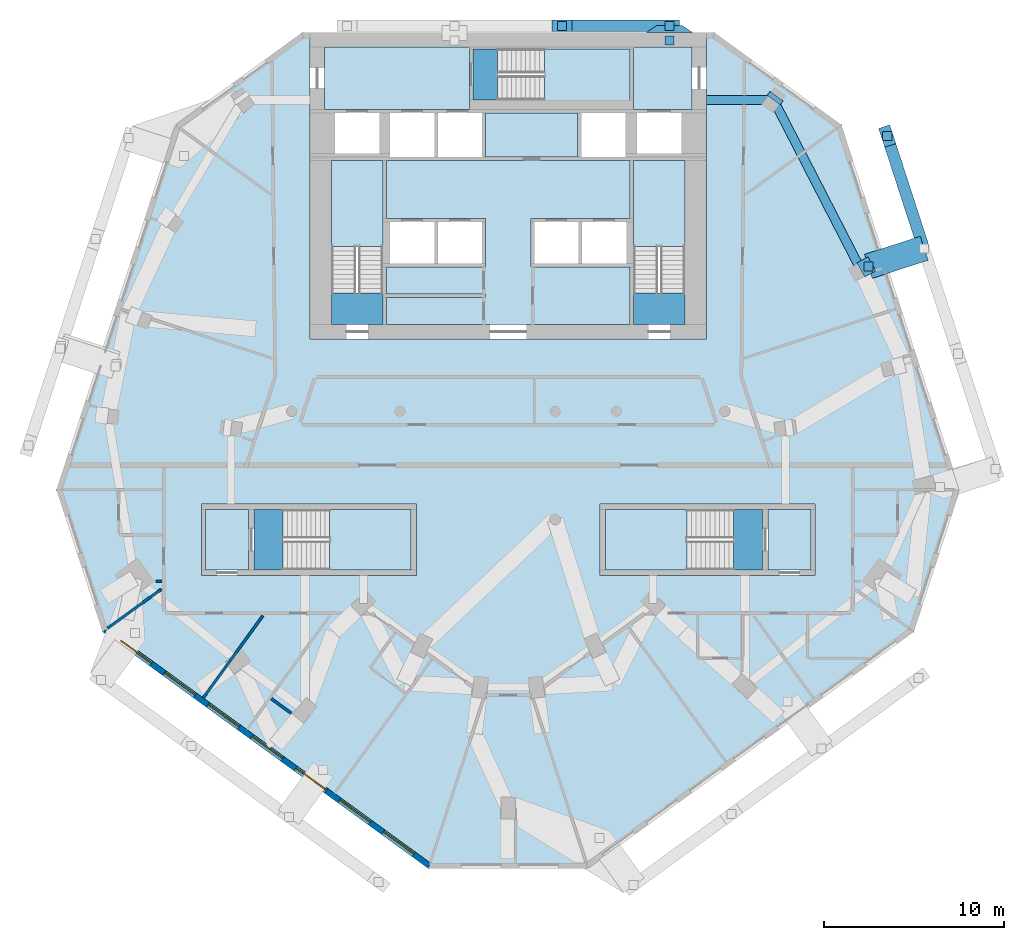
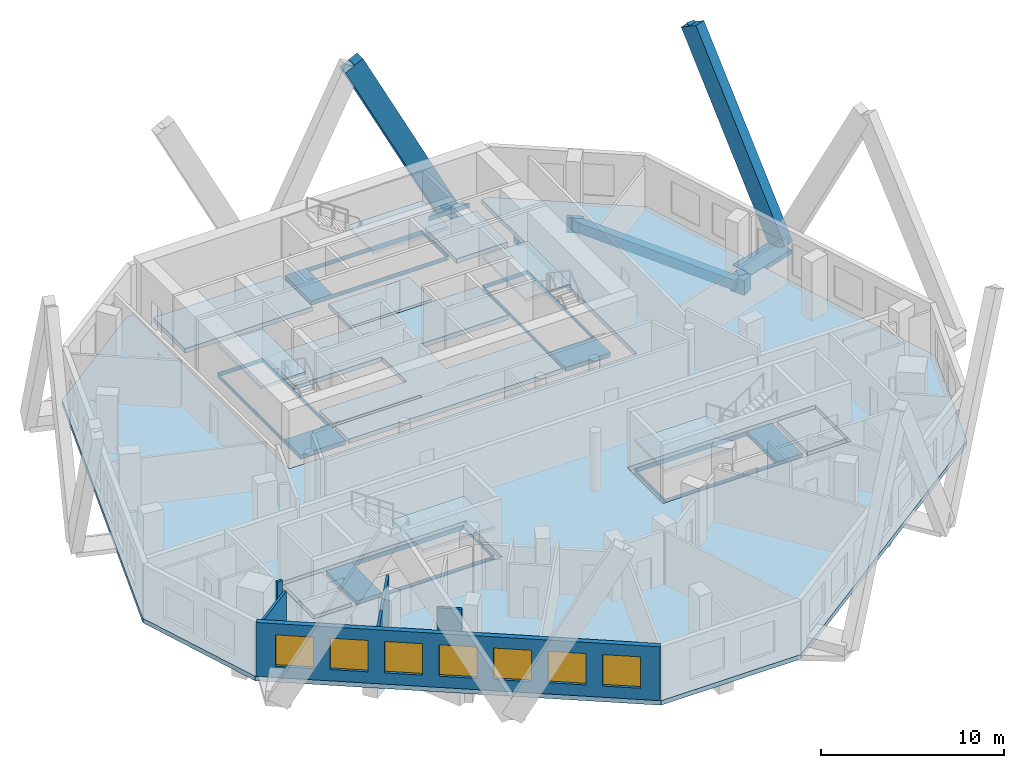
# One storey, part 3 of 10: 17 slabs, 7 windows, 5 discrete accessories, 5 walls, 4 beams, 4 members, 7 openings, 5 elements without a shape of their own.
"""IFC4 building model written with IfcOpenShell, lengths in metres."""

from ifc_helpers import new_model, si_unit, direction, frame, frame_2d, origin, origin_2d, place, context, subcontext, project, spatial, polyline, rectangle, outline, extrude, material, layer, layer_set, material_profile, profile_set, type_object, element, fill, aggregate, save


model = new_model("IFC4")

# Units and contexts
model_context = context("Model", 3, precision=1e-05, world=origin(), true_north=direction((0.0, 1.0)))
body_context = subcontext(model_context, "Body", "Model", "MODEL_VIEW")
ifc_project = project(units=[si_unit("LENGTHUNIT", "METRE"), si_unit("AREAUNIT", "SQUARE_METRE"), si_unit("VOLUMEUNIT", "CUBIC_METRE"), si_unit("PLANEANGLEUNIT", "RADIAN"), si_unit("MASSUNIT", "GRAM", prefix="KILO")], contexts=[model_context])

# Site, building, storey
site_placement = place(None, origin())
site = spatial("IfcSite", under=ifc_project, at=site_placement, CompositionType="ELEMENT")
building_placement = place(site_placement, origin())
building = spatial("IfcBuilding", under=site, at=building_placement, Name="White Candle Pilgrim Tower", CompositionType="ELEMENT")
storey_placement = place(building_placement, frame((0.0, 0.0, 196.5)))
storey = spatial("IfcBuildingStorey", under=building, at=storey_placement, Name="L45", CompositionType="ELEMENT", Elevation=196.5)

# Member
ifc_material_1 = material(Name="Concrete C70/85, white", Category="concrete")
ifc_material_profile_1 = material_profile(ifc_material_1, rectangle(XDim=0.64990234375, YDim=1.25, at=origin_2d()), Name="RC-DG 650x1250")
ifc_profile_set_1 = profile_set([ifc_material_profile_1], Name="Concrete C70/85, white")
member_type_1 = type_object("IfcMemberType", Name="Exoskeleton diagonal RC-DG 650x1250 C70/85", PredefinedType="BRACE", material=ifc_profile_set_1)
member_1_placement = place(storey_placement, frame((78.93701171875, 88.375, 0.0), z_axis=(-0.453783992732, 0.0, 0.891111714624), x_axis=(0.0, -1.0, 0.0)))
member_1 = element("IfcMember", 1, at=member_1_placement, inside=storey, type_object=member_type_1, Name="Exoskeleton diagonal EX181", PredefinedType="BRACE", context=body_context, shape_type="SweptSolid", body=[
    extrude(rectangle(XDim=0.64990234375, YDim=1.25, at=origin_2d()), origin(), (0.0, 0.0, 1.0), 13.129638671875),
])

member_2_placement = place(storey_placement, frame((93.044189453125, 76.03173828125, 0.0), z_axis=(-0.151000275794, 0.464725469005, 0.872484472738), x_axis=(-0.951055423113, -0.309020358822, 0.0)))
member_2 = element("IfcMember", 2, at=member_2_placement, inside=storey, type_object=member_type_1, Name="Exoskeleton diagonal EX195", PredefinedType="BRACE", context=body_context, shape_type="SweptSolid", body=[
    extrude(rectangle(XDim=0.64990234375, YDim=1.25, at=origin_2d()), origin(), (0.0, 0.0, 1.0), 13.409912109375),
])

ifc_layer_1 = layer(ifc_material_1, 0.300048828125)
ifc_layer_set_1 = layer_set([ifc_layer_1], Name="Node tie strut 3250x1400x300 C70/85")
member_type_2 = type_object("IfcMemberType", Name="Node tie strut 3250x1400x300 C70/85", PredefinedType="STRUT", material=ifc_layer_set_1)
member_3_placement = place(storey_placement, frame((91.5224609375, 75.537353515625, -0.2998046875), z_axis=(0.0, 0.0, 1.0), x_axis=(-0.309016994375, 0.951056516295, 0.0)))
member_3 = element("IfcMember", 3, at=member_3_placement, inside=storey, type_object=member_type_2, Name="Node tie strut NC152", PredefinedType="STRUT", context=body_context, shape_type="SweptSolid", body=[
    extrude(rectangle(XDim=1.39990234375, YDim=3.25, at=origin_2d()), origin(), (0.0, 0.0, 1.0), 0.300048828125),
])

ifc_layer_2 = layer(ifc_material_1, 0.300048828125)
ifc_layer_set_2 = layer_set([ifc_layer_2], Name="Node tie strut 850x1400x300 C70/85")
member_type_3 = type_object("IfcMemberType", Name="Node tie strut 850x1400x300 C70/85", PredefinedType="STRUT", material=ifc_layer_set_2)
member_4_placement = place(storey_placement, frame((0.0, 0.0, -0.300048828125)))
member_4 = element("IfcMember", 4, at=member_4_placement, inside=storey, type_object=member_type_3, Name="Node tie strut NC153", PredefinedType="STRUT", context=body_context, shape_type="SweptSolid", body=[
    extrude(outline(polyline([(77.636962890625, 88.0), (80.237060546875, 88.0), (79.636962890625, 88.39990234375), (78.237060546875, 88.39990234375), (77.636962890625, 88.0)])), origin(), (0.0, 0.0, 1.0), 0.300048828125),
])

# Beams
ifc_material_2 = material(Name="Concrete C50/60", Category="concrete")
ifc_material_profile_2 = material_profile(ifc_material_2, rectangle(XDim=0.5, YDim=0.449951171875, at=origin_2d()), Name="RC-BM 500x450")
ifc_profile_set_2 = profile_set([ifc_material_profile_2], Name="Concrete C50/60")
beam_type_1 = type_object("IfcBeamType", Name="Spandrel beam RC-BM 500x450 C50/60", PredefinedType="BEAM", material=ifc_profile_set_2)
beam_1_placement = place(storey_placement, frame((84.719970703125, 84.260009765625, -0.52490234375), z_axis=(-1.0, 0.0, 0.0), x_axis=(0.0, -1.0, 0.0)))
element("IfcBeam", 5, at=beam_1_placement, inside=storey, type_object=beam_type_1, Name="L45 spandrel beam T10", PredefinedType="BEAM", context=body_context, shape_type="SweptSolid", body=[
    extrude(rectangle(XDim=0.5, YDim=0.449951171875, at=origin_2d()), origin(), (0.0, 0.0, 1.0), 3.719970703125),
])
ifc_material_profile_3 = material_profile(ifc_material_2, rectangle(XDim=0.5, YDim=0.699951171875, at=origin_2d()), Name="RC-BM 500x700")
ifc_profile_set_3 = profile_set([ifc_material_profile_3], Name="Concrete C50/60")
beam_type_2 = type_object("IfcBeamType", Name="Spandrel beam RC-BM 500x700 C50/60", PredefinedType="BEAM", material=ifc_profile_set_3)
beam_2_placement = place(storey_placement, frame((89.56005859375, 74.840087890625, -0.64990234375), z_axis=(-0.45701618227, 0.889458379658, 0.0), x_axis=(-0.889458379658, -0.45701618227, 0.0)))
element("IfcBeam", 6, at=beam_2_placement, inside=storey, type_object=beam_type_2, Name="L45 spandrel beam T09", PredefinedType="BEAM", context=body_context, shape_type="SweptSolid", body=[
    extrude(rectangle(XDim=0.5, YDim=0.699951171875, at=origin_2d()), origin(), (0.0, 0.0, 1.0), 10.590576171875),
])
ifc_material_profile_4 = material_profile(ifc_material_2, rectangle(XDim=0.89990234375, YDim=1.0, at=origin_2d()), Name="RC-BM 900x1000")
ifc_profile_set_4 = profile_set([ifc_material_profile_4], Name="Concrete C50/60")
beam_type_3 = type_object("IfcBeamType", Name="Transfer girder RC-BM 900x1000 C50/60", PredefinedType="BEAM", material=ifc_profile_set_4)
beam_3_placement = place(storey_placement, frame((90.169921875, 75.179931640625, -0.800048828125), z_axis=(-0.873529742232, -0.486770777097, 0.0), x_axis=(0.486770777097, -0.873529742232, 0.0)))
element("IfcBeam", 7, at=beam_3_placement, inside=storey, type_object=beam_type_3, Name="L45 transfer girder X29", PredefinedType="BEAM", context=body_context, shape_type="SweptSolid", body=[
    extrude(rectangle(XDim=0.89990234375, YDim=1.0, at=origin_2d()), origin(), (0.0, 0.0, 1.0), 0.6982421875),
])
beam_4_placement = place(storey_placement, frame((84.8798828125, 84.47998046875, -0.800048828125), z_axis=(-0.588011550959, -0.808852530403, 0.0), x_axis=(0.808852530403, -0.588011550959, 0.0)))
element("IfcBeam", 8, at=beam_4_placement, inside=storey, type_object=beam_type_3, Name="L45 transfer girder X42", PredefinedType="BEAM", context=body_context, shape_type="SweptSolid", body=[
    extrude(rectangle(XDim=0.89990234375, YDim=1.0, at=origin_2d()), origin(), (0.0, 0.0, 1.0), 0.27197265625),
])

# Slabs
ifc_material_3 = material(Name="Concrete C40/50", Category="concrete")
ifc_layer_3 = layer(ifc_material_3, 0.300048828125)
ifc_layer_set_3 = layer_set([ifc_layer_3], Name="Core floor slab 300 mm Concrete C40/50")
slab_type_1 = type_object("IfcSlabType", Name="Core floor slab 300 mm Concrete C40/50", PredefinedType="FLOOR", material=ifc_layer_set_3)
slab_1_placement = place(storey_placement, frame((0.0, 0.0, -0.300048828125)))
element("IfcSlab", 9, at=slab_1_placement, inside=storey, type_object=slab_type_1, Name="CF-L45-01", PredefinedType="FLOOR", context=body_context, shape_type="SweptSolid", body=[
    extrude(outline(polyline([(55.60009765625, 58.199951171875), (53.199951171875, 58.199951171875), (53.199951171875, 61.550048828125), (55.60009765625, 61.550048828125), (55.60009765625, 58.199951171875)])), origin(), (0.0, 0.0, 1.0), 0.300048828125),
])
slab_2_placement = place(storey_placement, frame((0.0, 0.0, -0.300048828125)))
element("IfcSlab", 10, at=slab_2_placement, inside=storey, type_object=slab_type_1, Name="CF-L45-02", PredefinedType="FLOOR", context=body_context, shape_type="SweptSolid", body=[
    extrude(outline(polyline([(55.89990234375, 58.199951171875), (55.89990234375, 61.550048828125), (64.60009765625, 61.550048828125), (64.60009765625, 58.199951171875), (55.89990234375, 58.199951171875)]), holes=[polyline([(57.501953125, 61.548095703125), (57.501953125, 58.201904296875), (64.597900390625, 58.201904296875), (64.597900390625, 61.548095703125), (57.501953125, 61.548095703125)])]), origin(), (0.0, 0.0, 1.0), 0.300048828125),
])
slab_3_placement = place(storey_placement, frame((0.0, 0.0, -0.300048828125)))
element("IfcSlab", 11, at=slab_3_placement, inside=storey, type_object=slab_type_1, Name="CF-L45-03", PredefinedType="FLOOR", context=body_context, shape_type="SweptSolid", body=[
    extrude(outline(polyline([(75.39990234375, 58.199951171875), (75.39990234375, 61.550048828125), (84.10009765625, 61.550048828125), (84.10009765625, 58.199951171875), (75.39990234375, 58.199951171875)]), holes=[polyline([(82.498046875, 58.201904296875), (82.498046875, 61.548095703125), (75.402099609375, 61.548095703125), (75.402099609375, 58.201904296875), (82.498046875, 58.201904296875)])]), origin(), (0.0, 0.0, 1.0), 0.300048828125),
])
slab_4_placement = place(storey_placement, frame((0.0, 0.0, -0.300048828125)))
element("IfcSlab", 12, at=slab_4_placement, inside=storey, type_object=slab_type_1, Name="CF-L45-04", PredefinedType="FLOOR", context=body_context, shape_type="SweptSolid", body=[
    extrude(outline(polyline([(86.800048828125, 58.199951171875), (84.39990234375, 58.199951171875), (84.39990234375, 61.550048828125), (86.800048828125, 61.550048828125), (86.800048828125, 58.199951171875)])), origin(), (0.0, 0.0, 1.0), 0.300048828125),
])
slab_5_placement = place(storey_placement, frame((0.0, 0.0, -0.300048828125)))
element("IfcSlab", 13, at=slab_5_placement, inside=storey, type_object=slab_type_1, Name="CF-L45-05", PredefinedType="FLOOR", context=body_context, shape_type="SweptSolid", body=[
    extrude(outline(polyline([(76.949951171875, 71.800048828125), (76.949951171875, 75.0), (76.949951171875, 75.199951171875), (76.949951171875, 77.5), (76.949951171875, 77.699951171875), (76.949951171875, 80.89990234375), (79.800048828125, 80.89990234375), (79.800048828125, 71.800048828125), (76.949951171875, 71.800048828125)]), holes=[polyline([(76.951904296875, 73.552001953125), (79.798095703125, 73.552001953125), (79.798095703125, 80.89794921875), (76.951904296875, 80.89794921875), (76.951904296875, 73.552001953125)])]), origin(), (0.0, 0.0, 1.0), 0.300048828125),
])
slab_6_placement = place(storey_placement, frame((0.0, 0.0, -0.300048828125)))
element("IfcSlab", 14, at=slab_6_placement, inside=storey, type_object=slab_type_1, Name="CF-L45-06", PredefinedType="FLOOR", context=body_context, shape_type="SweptSolid", body=[
    extrude(outline(polyline([(63.25, 71.800048828125), (63.25, 73.300048828125), (68.75, 73.300048828125), (68.75, 73.5), (63.25, 73.5), (63.25, 75.0), (68.75, 75.0), (68.75, 75.199951171875), (68.75, 77.5), (68.75, 77.699951171875), (63.25, 77.699951171875), (63.25, 80.89990234375), (76.75, 80.89990234375), (76.75, 77.699951171875), (71.25, 77.699951171875), (71.25, 77.5), (71.25, 75.199951171875), (71.25, 75.0), (76.75, 75.0), (76.75, 71.800048828125), (63.25, 71.800048828125)])), origin(), (0.0, 0.0, 1.0), 0.300048828125),
])
slab_7_placement = place(storey_placement, frame((0.0, 0.0, -0.300048828125)))
element("IfcSlab", 15, at=slab_7_placement, inside=storey, type_object=slab_type_1, Name="CF-L45-07", PredefinedType="FLOOR", context=body_context, shape_type="SweptSolid", body=[
    extrude(outline(polyline([(60.199951171875, 71.800048828125), (60.199951171875, 80.89990234375), (63.050048828125, 80.89990234375), (63.050048828125, 77.699951171875), (63.050048828125, 77.5), (63.050048828125, 75.199951171875), (63.050048828125, 75.0), (63.050048828125, 73.5), (63.050048828125, 73.300048828125), (63.050048828125, 71.800048828125), (60.199951171875, 71.800048828125)]), holes=[polyline([(60.201904296875, 73.552001953125), (63.048095703125, 73.552001953125), (63.048095703125, 80.89794921875), (60.201904296875, 80.89794921875), (60.201904296875, 73.552001953125)])]), origin(), (0.0, 0.0, 1.0), 0.300048828125),
])
slab_8_placement = place(storey_placement, frame((0.0, 0.0, -0.300048828125)))
element("IfcSlab", 16, at=slab_8_placement, inside=storey, type_object=slab_type_1, Name="CF-L45-08", PredefinedType="FLOOR", context=body_context, shape_type="SweptSolid", body=[
    extrude(outline(polyline([(59.800048828125, 87.199951171875), (67.85009765625, 87.199951171875), (67.85009765625, 87.10009765625), (67.85009765625, 84.25), (67.85009765625, 83.75), (59.800048828125, 83.75), (59.800048828125, 87.199951171875)])), origin(), (0.0, 0.0, 1.0), 0.300048828125),
])
slab_9_placement = place(storey_placement, frame((0.0, 0.0, -0.300048828125)))
element("IfcSlab", 17, at=slab_9_placement, inside=storey, type_object=slab_type_1, Name="CF-L45-09", PredefinedType="FLOOR", context=body_context, shape_type="SweptSolid", body=[
    extrude(outline(polyline([(80.199951171875, 87.199951171875), (80.199951171875, 83.75), (76.949951171875, 83.75), (76.949951171875, 84.25), (76.949951171875, 87.10009765625), (76.949951171875, 87.199951171875), (80.199951171875, 87.199951171875)])), origin(), (0.0, 0.0, 1.0), 0.300048828125),
])
slab_10_placement = place(storey_placement, frame((0.0, 0.0, -0.300048828125)))
element("IfcSlab", 18, at=slab_10_placement, inside=storey, type_object=slab_type_1, Name="CF-L45-10", PredefinedType="FLOOR", context=body_context, shape_type="SweptSolid", body=[
    extrude(outline(polyline([(68.050048828125, 87.10009765625), (76.75, 87.10009765625), (76.75, 84.25), (68.050048828125, 84.25), (68.050048828125, 87.10009765625)]), holes=[polyline([(69.402099609375, 87.097900390625), (69.402099609375, 84.251953125), (76.748046875, 84.251953125), (76.748046875, 87.097900390625), (69.402099609375, 87.097900390625)])]), origin(), (0.0, 0.0, 1.0), 0.300048828125),
])
slab_11_placement = place(storey_placement, frame((0.0, 0.0, -0.300048828125)))
element("IfcSlab", 19, at=slab_11_placement, inside=storey, type_object=slab_type_1, Name="CF-L45-11", PredefinedType="FLOOR", context=body_context, shape_type="SweptSolid", body=[
    extrude(outline(polyline([(73.85009765625, 83.550048828125), (73.85009765625, 81.10009765625), (68.75, 81.10009765625), (68.75, 83.550048828125), (73.85009765625, 83.550048828125)])), origin(), (0.0, 0.0, 1.0), 0.300048828125),
])
ifc_layer_4 = layer(ifc_material_3, 0.300048828125)
ifc_layer_set_4 = layer_set([ifc_layer_4], Name="Floor slab 300 REI 240")
slab_type_2 = type_object("IfcSlabType", Name="Floor slab 300 REI 240", PredefinedType="FLOOR", material=ifc_layer_set_4)
slab_12_placement = place(storey_placement, frame((0.0, 0.0, -0.300048828125)))
element("IfcSlab", 20, at=slab_12_placement, inside=storey, type_object=slab_type_2, Name="L45 floor slab", PredefinedType="FLOOR", context=body_context, shape_type="SweptSolid", body=[
    extrude(outline(polyline([(65.5703125, 41.64111328125), (74.4296875, 41.64111328125), (92.4970703125, 54.767822265625), (95.055419921875, 62.6416015625), (88.478271484375, 82.88427734375), (81.43701171875, 88.0), (81.0, 88.0), (81.0, 71.0), (59.0, 71.0), (59.0, 88.0), (58.56298828125, 88.0), (51.521728515625, 82.88427734375), (44.944580078125, 62.6416015625), (47.5029296875, 54.767822265625), (65.5703125, 41.64111328125)]), holes=[polyline([(53.0, 57.89990234375), (53.0, 61.85009765625), (64.89990234375, 61.85009765625), (64.89990234375, 57.89990234375), (53.0, 57.89990234375)]), polyline([(75.10009765625, 57.89990234375), (75.10009765625, 61.85009765625), (87.0, 61.85009765625), (87.0, 57.89990234375), (75.10009765625, 57.89990234375)])]), origin(), (0.0, 0.0, 1.0), 0.300048828125),
])

# Stair, slab
stair_type_1 = type_object("IfcStairType", Name="Exit stair 1 flight width 1350 mm", PredefinedType="HALF_TURN_STAIR", material=ifc_material_3)
stair_1_placement = place(storey_placement, origin())
stair_1 = element("IfcStair", 21, at=stair_1_placement, inside=storey, type_object=stair_type_1, Name="L45 stair 1", PredefinedType="NOTDEFINED")
ifc_layer_5 = layer(ifc_material_3, 0.199951171875)
ifc_layer_set_5 = layer_set([ifc_layer_5], Name="Stair landing Concrete C40/50")
slab_type_3 = type_object("IfcSlabType", Name="Stair landing Concrete C40/50", PredefinedType="LANDING", material=ifc_layer_set_5)
slab_13_placement = place(storey_placement, frame((0.0, 0.0, 1.75)))
slab_13 = element("IfcSlab", 22, at=slab_13_placement, type_object=slab_type_3, Name="ST1 landing 1", PredefinedType="LANDING", context=body_context, shape_type="SweptSolid", body=[
    extrude(outline(polyline([(63.052001953125, 76.14794921875), (60.197998046875, 76.14794921875), (60.197998046875, 80.902099609375), (63.052001953125, 80.902099609375), (63.052001953125, 76.14794921875)])), origin(), (0.0, 0.0, 1.0), 0.199951171875),
])
aggregate(stair_1, [slab_13])

stair_type_2 = type_object("IfcStairType", Name="Exit stair 2 flight width 1350 mm", PredefinedType="HALF_TURN_STAIR", material=ifc_material_3)
stair_2_placement = place(storey_placement, origin())
stair_2 = element("IfcStair", 23, at=stair_2_placement, inside=storey, type_object=stair_type_2, Name="L45 stair 2", PredefinedType="NOTDEFINED")
slab_14_placement = place(storey_placement, frame((0.0, 0.0, 1.75)))
slab_14 = element("IfcSlab", 24, at=slab_14_placement, type_object=slab_type_3, Name="ST2 landing 1", PredefinedType="LANDING", context=body_context, shape_type="SweptSolid", body=[
    extrude(outline(polyline([(79.802001953125, 76.14794921875), (76.947998046875, 76.14794921875), (76.947998046875, 80.902099609375), (79.802001953125, 80.902099609375), (79.802001953125, 76.14794921875)])), origin(), (0.0, 0.0, 1.0), 0.199951171875),
])
aggregate(stair_2, [slab_14])

stair_type_3 = type_object("IfcStairType", Name="Exit stair 3 flight width 1350 mm", PredefinedType="HALF_TURN_STAIR", material=ifc_material_3)
stair_3_placement = place(storey_placement, origin())
stair_3 = element("IfcStair", 25, at=stair_3_placement, inside=storey, type_object=stair_type_3, Name="L45 stair 3", PredefinedType="NOTDEFINED")
slab_15_placement = place(storey_placement, frame((0.0, 0.0, 1.75)))
slab_15 = element("IfcSlab", 26, at=slab_15_placement, type_object=slab_type_3, Name="ST3 landing 1", PredefinedType="LANDING", context=body_context, shape_type="SweptSolid", body=[
    extrude(outline(polyline([(71.998046875, 84.248046875), (71.998046875, 87.10205078125), (76.751953125, 87.10205078125), (76.751953125, 84.248046875), (71.998046875, 84.248046875)])), origin(), (0.0, 0.0, 1.0), 0.199951171875),
])
aggregate(stair_3, [slab_15])

stair_type_4 = type_object("IfcStairType", Name="Exit stair 4 flight width 1600 mm", PredefinedType="HALF_TURN_STAIR", material=ifc_material_3)
stair_4_placement = place(storey_placement, origin())
stair_4 = element("IfcStair", 27, at=stair_4_placement, inside=storey, type_object=stair_type_4, Name="L45 stair 4", PredefinedType="NOTDEFINED")
slab_16_placement = place(storey_placement, frame((0.0, 0.0, 1.75)))
slab_16 = element("IfcSlab", 28, at=slab_16_placement, type_object=slab_type_3, Name="ST4 landing 1", PredefinedType="LANDING", context=body_context, shape_type="SweptSolid", body=[
    extrude(outline(polyline([(79.902099609375, 61.552001953125), (79.902099609375, 58.197998046875), (75.39794921875, 58.197998046875), (75.39794921875, 61.552001953125), (79.902099609375, 61.552001953125)])), origin(), (0.0, 0.0, 1.0), 0.199951171875),
])
aggregate(stair_4, [slab_16])

stair_type_5 = type_object("IfcStairType", Name="Exit stair 5 flight width 1600 mm", PredefinedType="HALF_TURN_STAIR", material=ifc_material_3)
stair_5_placement = place(storey_placement, origin())
stair_5 = element("IfcStair", 29, at=stair_5_placement, inside=storey, type_object=stair_type_5, Name="L45 stair 5", PredefinedType="NOTDEFINED")
slab_17_placement = place(storey_placement, frame((0.0, 0.0, 1.75)))
slab_17 = element("IfcSlab", 30, at=slab_17_placement, type_object=slab_type_3, Name="ST5 landing 1", PredefinedType="LANDING", context=body_context, shape_type="SweptSolid", body=[
    extrude(outline(polyline([(60.097900390625, 58.197998046875), (60.097900390625, 61.552001953125), (64.60205078125, 61.552001953125), (64.60205078125, 58.197998046875), (60.097900390625, 58.197998046875)])), origin(), (0.0, 0.0, 1.0), 0.199951171875),
])
aggregate(stair_5, [slab_17])

# Wall, openings, windows
ifc_material_4 = material(Name="Precast concrete C40/50", Category="concrete")
ifc_layer_6 = layer(ifc_material_4, 0.320068359375)
ifc_layer_set_6 = layer_set([ifc_layer_6], Name="Facade wall EW1 precast concrete C40/50 pier wall with timber-lined reveals")
wall_type_1 = type_object("IfcWallType", Name="Facade wall EW1 precast concrete C40/50 pier wall with timber-lined reveals", PredefinedType="SOLIDWALL", material=ifc_layer_set_6)
wall_1_placement = place(storey_placement, frame((47.638916015625, 54.86669921875, 0.0), z_axis=(0.0, 0.0, 1.0), x_axis=(0.809017634756, -0.587784370883, 0.0)))
wall_1 = element("IfcWall", 31, at=wall_1_placement, inside=storey, type_object=wall_type_1, Name="Facade wall L45 SW", PredefinedType="SOLIDWALL", context=body_context, shape_type="SweptSolid", body=[
    extrude(rectangle(XDim=22.228759765625, YDim=0.320068359375, at=frame_2d((11.1142578125, 0.0))), origin(), (0.0, 0.0, 1.0), 3.60009765625),
])
opening_1_placement = place(wall_1_placement, frame((1.064208984375, 0.0, 0.75)))
opening_1 = element("IfcOpeningElement", 32, at=opening_1_placement, cuts=wall_1, Name="Opening W3", PredefinedType="OPENING", context=body_context, shape_type="SweptSolid", body=[
    extrude(rectangle(XDim=2.10009765625, YDim=2.10009765625, at=frame_2d((1.050048828125, 1.050048828125))), frame((0.0, 0.169921875, 0.0), z_axis=(0.0, -1.0, 0.0), x_axis=(1.0, 0.0, 0.0)), (0.0, 0.0, 1.0), 0.340087890625),
])
opening_2_placement = place(wall_1_placement, frame((4.064208984375, 0.0, 0.75)))
opening_2 = element("IfcOpeningElement", 33, at=opening_2_placement, cuts=wall_1, Name="Opening W3", PredefinedType="OPENING", context=body_context, shape_type="SweptSolid", body=[
    extrude(rectangle(XDim=2.10009765625, YDim=2.10009765625, at=frame_2d((1.050048828125, 1.050048828125))), frame((0.0, 0.169921875, 0.0), z_axis=(0.0, -1.0, 0.0), x_axis=(1.0, 0.0, 0.0)), (0.0, 0.0, 1.0), 0.340087890625),
])
opening_3_placement = place(wall_1_placement, frame((7.064208984375, 0.0, 0.75)))
opening_3 = element("IfcOpeningElement", 34, at=opening_3_placement, cuts=wall_1, Name="Opening W3", PredefinedType="OPENING", context=body_context, shape_type="SweptSolid", body=[
    extrude(rectangle(XDim=2.10009765625, YDim=2.10009765625, at=frame_2d((1.050048828125, 1.050048828125))), frame((0.0, 0.169921875, 0.0), z_axis=(0.0, -1.0, 0.0), x_axis=(1.0, 0.0, 0.0)), (0.0, 0.0, 1.0), 0.340087890625),
])
opening_4_placement = place(wall_1_placement, frame((10.064208984375, 0.0, 0.75)))
opening_4 = element("IfcOpeningElement", 35, at=opening_4_placement, cuts=wall_1, Name="Opening W3", PredefinedType="OPENING", context=body_context, shape_type="SweptSolid", body=[
    extrude(rectangle(XDim=2.10009765625, YDim=2.10009765625, at=frame_2d((1.050048828125, 1.050048828125))), frame((0.0, 0.169921875, 0.0), z_axis=(0.0, -1.0, 0.0), x_axis=(1.0, 0.0, 0.0)), (0.0, 0.0, 1.0), 0.340087890625),
])
opening_5_placement = place(wall_1_placement, frame((13.064208984375, 0.0, 0.75)))
opening_5 = element("IfcOpeningElement", 36, at=opening_5_placement, cuts=wall_1, Name="Opening W3", PredefinedType="OPENING", context=body_context, shape_type="SweptSolid", body=[
    extrude(rectangle(XDim=2.10009765625, YDim=2.10009765625, at=frame_2d((1.050048828125, 1.050048828125))), frame((0.0, 0.169921875, 0.0), z_axis=(0.0, -1.0, 0.0), x_axis=(1.0, 0.0, 0.0)), (0.0, 0.0, 1.0), 0.340087890625),
])
opening_6_placement = place(wall_1_placement, frame((16.064208984375, 0.0, 0.75)))
opening_6 = element("IfcOpeningElement", 37, at=opening_6_placement, cuts=wall_1, Name="Opening W3", PredefinedType="OPENING", context=body_context, shape_type="SweptSolid", body=[
    extrude(rectangle(XDim=2.10009765625, YDim=2.10009765625, at=frame_2d((1.050048828125, 1.050048828125))), frame((0.0, 0.169921875, 0.0), z_axis=(0.0, -1.0, 0.0), x_axis=(1.0, 0.0, 0.0)), (0.0, 0.0, 1.0), 0.340087890625),
])
opening_7_placement = place(wall_1_placement, frame((19.064208984375, 0.0, 0.75)))
opening_7 = element("IfcOpeningElement", 38, at=opening_7_placement, cuts=wall_1, Name="Opening W3", PredefinedType="OPENING", context=body_context, shape_type="SweptSolid", body=[
    extrude(rectangle(XDim=2.10009765625, YDim=2.10009765625, at=frame_2d((1.050048828125, 1.050048828125))), frame((0.0, 0.169921875, 0.0), z_axis=(0.0, -1.0, 0.0), x_axis=(1.0, 0.0, 0.0)), (0.0, 0.0, 1.0), 0.340087890625),
])
ifc_material_5 = material(Name="Timber frame with triple glazing", Category="wood")
window_type = type_object("IfcWindowType", Name="Window W3 2100x2100 timber frame triple glazing", PartitioningType="SINGLE_PANEL", PredefinedType="WINDOW", material=ifc_material_5)
window_1_placement = place(opening_1_placement, origin())
window_1 = element("IfcWindow", 39, at=window_1_placement, inside=storey, type_object=window_type, Name="Window W3 L45 SW 1", OverallHeight=2.10009765625, OverallWidth=2.10009765625, PartitioningType="SINGLE_PANEL", PredefinedType="WINDOW", context=body_context, shape_type="SweptSolid", body=[
    extrude(rectangle(XDim=2.10009765625, YDim=2.10009765625, at=frame_2d((1.050048828125, 1.050048828125))), frame((0.0, 0.070068359375, 0.0), z_axis=(0.0, -1.0, 0.0), x_axis=(1.0, 0.0, 0.0)), (0.0, 0.0, 1.0), 0.06005859375),
])
fill(opening_1, window_1)
window_2_placement = place(opening_2_placement, origin())
window_2 = element("IfcWindow", 40, at=window_2_placement, inside=storey, type_object=window_type, Name="Window W3 L45 SW 2", OverallHeight=2.10009765625, OverallWidth=2.10009765625, PartitioningType="SINGLE_PANEL", PredefinedType="WINDOW", context=body_context, shape_type="SweptSolid", body=[
    extrude(rectangle(XDim=2.10009765625, YDim=2.10009765625, at=frame_2d((1.050048828125, 1.050048828125))), frame((0.0, 0.070068359375, 0.0), z_axis=(0.0, -1.0, 0.0), x_axis=(1.0, 0.0, 0.0)), (0.0, 0.0, 1.0), 0.06005859375),
])
fill(opening_2, window_2)
window_3_placement = place(opening_3_placement, origin())
window_3 = element("IfcWindow", 41, at=window_3_placement, inside=storey, type_object=window_type, Name="Window W3 L45 SW 3", OverallHeight=2.10009765625, OverallWidth=2.10009765625, PartitioningType="SINGLE_PANEL", PredefinedType="WINDOW", context=body_context, shape_type="SweptSolid", body=[
    extrude(rectangle(XDim=2.10009765625, YDim=2.10009765625, at=frame_2d((1.050048828125, 1.050048828125))), frame((0.0, 0.070068359375, 0.0), z_axis=(0.0, -1.0, 0.0), x_axis=(1.0, 0.0, 0.0)), (0.0, 0.0, 1.0), 0.06005859375),
])
fill(opening_3, window_3)
window_4_placement = place(opening_4_placement, origin())
window_4 = element("IfcWindow", 42, at=window_4_placement, inside=storey, type_object=window_type, Name="Window W3 L45 SW 4", OverallHeight=2.10009765625, OverallWidth=2.10009765625, PartitioningType="SINGLE_PANEL", PredefinedType="WINDOW", context=body_context, shape_type="SweptSolid", body=[
    extrude(rectangle(XDim=2.10009765625, YDim=2.10009765625, at=frame_2d((1.050048828125, 1.050048828125))), frame((0.0, 0.070068359375, 0.0), z_axis=(0.0, -1.0, 0.0), x_axis=(1.0, 0.0, 0.0)), (0.0, 0.0, 1.0), 0.06005859375),
])
fill(opening_4, window_4)
window_5_placement = place(opening_5_placement, origin())
window_5 = element("IfcWindow", 43, at=window_5_placement, inside=storey, type_object=window_type, Name="Window W3 L45 SW 5", OverallHeight=2.10009765625, OverallWidth=2.10009765625, PartitioningType="SINGLE_PANEL", PredefinedType="WINDOW", context=body_context, shape_type="SweptSolid", body=[
    extrude(rectangle(XDim=2.10009765625, YDim=2.10009765625, at=frame_2d((1.050048828125, 1.050048828125))), frame((0.0, 0.070068359375, 0.0), z_axis=(0.0, -1.0, 0.0), x_axis=(1.0, 0.0, 0.0)), (0.0, 0.0, 1.0), 0.06005859375),
])
fill(opening_5, window_5)
window_6_placement = place(opening_6_placement, origin())
window_6 = element("IfcWindow", 44, at=window_6_placement, inside=storey, type_object=window_type, Name="Window W3 L45 SW 6", OverallHeight=2.10009765625, OverallWidth=2.10009765625, PartitioningType="SINGLE_PANEL", PredefinedType="WINDOW", context=body_context, shape_type="SweptSolid", body=[
    extrude(rectangle(XDim=2.10009765625, YDim=2.10009765625, at=frame_2d((1.050048828125, 1.050048828125))), frame((0.0, 0.070068359375, 0.0), z_axis=(0.0, -1.0, 0.0), x_axis=(1.0, 0.0, 0.0)), (0.0, 0.0, 1.0), 0.06005859375),
])
fill(opening_6, window_6)
window_7_placement = place(opening_7_placement, origin())
window_7 = element("IfcWindow", 45, at=window_7_placement, inside=storey, type_object=window_type, Name="Window W3 L45 SW 7", OverallHeight=2.10009765625, OverallWidth=2.10009765625, PartitioningType="SINGLE_PANEL", PredefinedType="WINDOW", context=body_context, shape_type="SweptSolid", body=[
    extrude(rectangle(XDim=2.10009765625, YDim=2.10009765625, at=frame_2d((1.050048828125, 1.050048828125))), frame((0.0, 0.070068359375, 0.0), z_axis=(0.0, -1.0, 0.0), x_axis=(1.0, 0.0, 0.0)), (0.0, 0.0, 1.0), 0.06005859375),
])
fill(opening_7, window_7)

# Walls
ifc_material_6 = material(Name="Gypsum board on steel studs", Category="steel")
ifc_layer_7 = layer(ifc_material_6, 0.14990234375)
ifc_layer_set_7 = layer_set([ifc_layer_7], Name="Partition 150 mm EI 60")
wall_type_2 = type_object("IfcWallType", Name="Partition 150 mm EI 60", PredefinedType="PARTITIONING", material=ifc_layer_set_7)
wall_2_placement = place(storey_placement, frame((47.775146484375, 54.965576171875, 0.0), z_axis=(0.0, 0.0, 1.0), x_axis=(0.809028266422, 0.587769737338, 0.0)))
element("IfcWall", 46, at=wall_2_placement, inside=storey, type_object=wall_type_2, Name="WL-L45-P019", PredefinedType="PARTITIONING", context=body_context, shape_type="SweptSolid", body=[
    extrude(rectangle(XDim=3.684326171875, YDim=0.14990234375, at=frame_2d((1.84228515625, 0.0))), origin(), (0.0, 0.0, 1.0), 3.14990234375),
])
wall_3_placement = place(storey_placement, frame((53.083984375, 51.1083984375, 0.0), z_axis=(0.0, 0.0, 1.0), x_axis=(0.587804932614, 0.809002695419, 0.0)))
element("IfcWall", 47, at=wall_3_placement, inside=storey, type_object=wall_type_2, Name="WL-L45-P028", PredefinedType="PARTITIONING", context=body_context, shape_type="SweptSolid", body=[
    extrude(rectangle(XDim=5.621337890625, YDim=0.14990234375, at=frame_2d((2.810546875, 0.0))), origin(), (0.0, 0.0, 1.0), 3.14990234375),
])
wall_4_placement = place(storey_placement, frame((50.477294921875, 57.57568359375, 0.0), z_axis=(0.0, 0.0, 1.0), x_axis=(1.0, 0.0, 0.0)))
element("IfcWall", 48, at=wall_4_placement, inside=storey, type_object=wall_type_2, Name="WL-L45-P044", PredefinedType="PARTITIONING", context=body_context, shape_type="SweptSolid", body=[
    extrude(rectangle(XDim=0.32275390625, YDim=0.14990234375, at=frame_2d((0.161376953125, 0.0))), origin(), (0.0, 0.0, 1.0), 3.60009765625),
])
wall_5_placement = place(storey_placement, frame((57.954833984375, 50.264892578125, 0.0), z_axis=(0.0, 0.0, 1.0), x_axis=(-0.809053951213, 0.587734382205, 0.0)))
element("IfcWall", 49, at=wall_5_placement, inside=storey, type_object=wall_type_2, Name="WL-L45-P045", PredefinedType="PARTITIONING", context=body_context, shape_type="SweptSolid", body=[
    extrude(rectangle(XDim=1.361328125, YDim=0.14990234375, at=frame_2d((0.6806640625, 0.0))), origin(), (0.0, 0.0, 1.0), 3.60009765625),
])

# Discrete accessory
ifc_material_7 = material(Name="Steel S355", Category="steel")
ifc_layer_8 = layer(ifc_material_7, 0.02490234375)
ifc_layer_set_8 = layer_set([ifc_layer_8], Name="Gusset plate 500x500x25 S355")
discrete_accessory_type = type_object("IfcDiscreteAccessoryType", Name="Gusset plate 500x500x25 S355", PredefinedType="BRACKET", material=ifc_layer_set_8)
discrete_accessory_1_placement = place(storey_placement, frame((78.93701171875, 88.375, -0.012451171875), z_axis=(0.0, 0.0, 1.0), x_axis=(1.0, 0.0, 0.0)))
discrete_accessory_1 = element("IfcDiscreteAccessory", 50, at=discrete_accessory_1_placement, type_object=discrete_accessory_type, Name="Gusset plate 0207", PredefinedType="BRACKET", context=body_context, shape_type="SweptSolid", body=[
    extrude(rectangle(XDim=0.5, YDim=0.5, at=origin_2d()), origin(), (0.0, 0.0, 1.0), 0.02490234375),
])

placement = place(building_placement, frame((0.0, 0.0, 208.199951171875)))
discrete_accessory_2_placement = place(placement, frame((72.97900390625, 88.375, -0.012451171875), z_axis=(0.0, 0.0, 1.0), x_axis=(1.0, 0.0, 0.0)))
discrete_accessory_2 = element("IfcDiscreteAccessory", 51, at=discrete_accessory_2_placement, type_object=discrete_accessory_type, Name="Gusset plate 0208", PredefinedType="BRACKET", context=body_context, shape_type="SweptSolid", body=[
    extrude(rectangle(XDim=0.5, YDim=0.5, at=origin_2d()), origin(), (0.0, 0.0, 1.0), 0.02490234375),
])

aggregate(member_1, [discrete_accessory_1, discrete_accessory_2])

discrete_accessory_3_placement = place(placement, frame((91.019287109375, 82.263671875, -0.012451171875), z_axis=(0.0, 0.0, 1.0), x_axis=(1.0, 0.0, 0.0)))
discrete_accessory_3 = element("IfcDiscreteAccessory", 52, at=discrete_accessory_3_placement, type_object=discrete_accessory_type, Name="Gusset plate 0220", PredefinedType="BRACKET", context=body_context, shape_type="SweptSolid", body=[
    extrude(rectangle(XDim=0.5, YDim=0.5, at=origin_2d()), origin(), (0.0, 0.0, 1.0), 0.02490234375),
])

aggregate(member_2, [discrete_accessory_3])

discrete_accessory_4_placement = place(storey_placement, frame((89.97705078125, 75.03515625, -0.162353515625), z_axis=(0.0, 0.0, 1.0), x_axis=(1.0, 0.0, 0.0)))
discrete_accessory_4 = element("IfcDiscreteAccessory", 53, at=discrete_accessory_4_placement, type_object=discrete_accessory_type, Name="Gusset plate 0533", PredefinedType="BRACKET", context=body_context, shape_type="SweptSolid", body=[
    extrude(rectangle(XDim=0.5, YDim=0.5, at=origin_2d()), origin(), (0.0, 0.0, 1.0), 0.02490234375),
])

aggregate(member_3, [discrete_accessory_4])

discrete_accessory_5_placement = place(storey_placement, frame((78.93701171875, 87.550048828125, -0.162353515625), z_axis=(0.0, 0.0, 1.0), x_axis=(1.0, 0.0, 0.0)))
discrete_accessory_5 = element("IfcDiscreteAccessory", 54, at=discrete_accessory_5_placement, type_object=discrete_accessory_type, Name="Gusset plate 0534", PredefinedType="BRACKET", context=body_context, shape_type="SweptSolid", body=[
    extrude(rectangle(XDim=0.5, YDim=0.5, at=origin_2d()), origin(), (0.0, 0.0, 1.0), 0.02490234375),
])

aggregate(member_4, [discrete_accessory_5])

save(model, "model.ifc")
